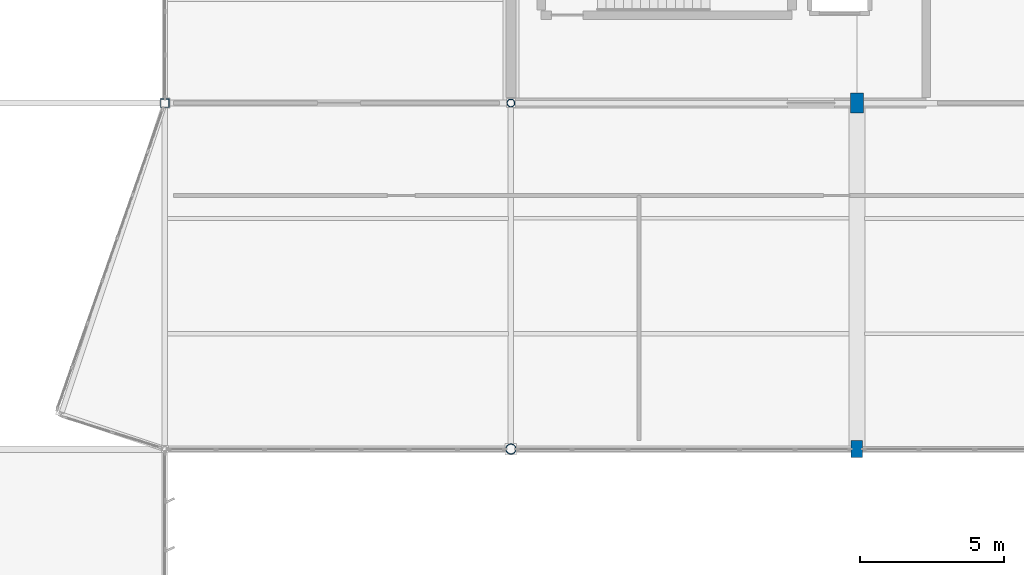
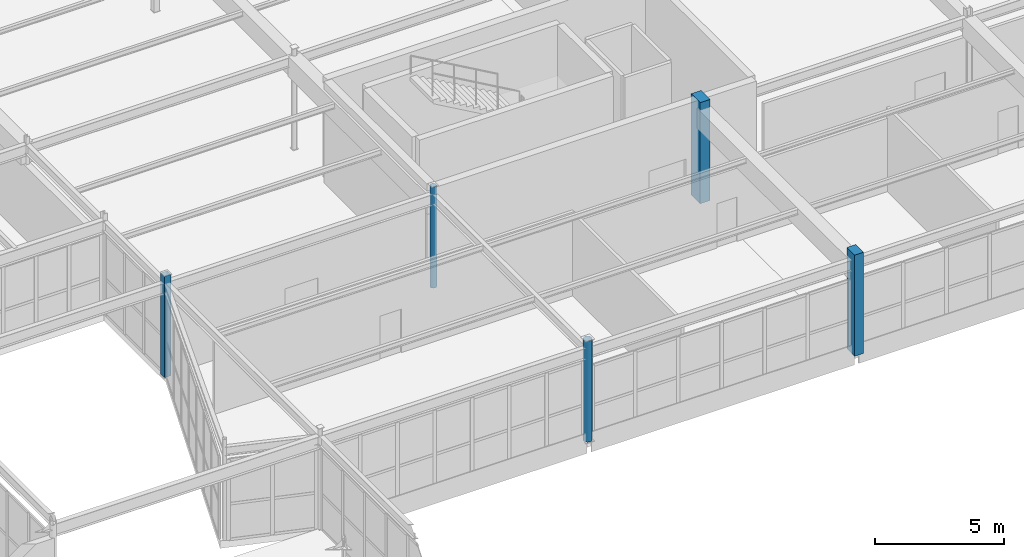
# One storey, part 46 of 186: 5 columns.
"""IFC4 building model written with IfcOpenShell, lengths in metres."""

from ifc_helpers import new_model, si_unit, direction, frame, origin, origin_2d, place, context, subcontext, project, spatial, rectangle, hollow_rectangle, hollow_circle, extrude, material, material_profile, profile_set, type_object, element, save


model = new_model("IFC4")

# Units and contexts
model_context = context("Model", 3, precision=1e-05, world=origin(), true_north=direction((0.0, 1.0)))
body_context = subcontext(model_context, "Body", "Model", "MODEL_VIEW")
ifc_project = project(units=[si_unit("LENGTHUNIT", "METRE"), si_unit("AREAUNIT", "SQUARE_METRE"), si_unit("VOLUMEUNIT", "CUBIC_METRE"), si_unit("PLANEANGLEUNIT", "RADIAN"), si_unit("MASSUNIT", "GRAM", prefix="KILO")], contexts=[model_context])

# Site, building, storey
site_placement = place(None, origin())
site = spatial("IfcSite", under=ifc_project, at=site_placement, CompositionType="ELEMENT")
building_placement = place(site_placement, origin())
building = spatial("IfcBuilding", under=site, at=building_placement, Name="Tarnwether General Hospital", CompositionType="ELEMENT")
storey_placement = place(building_placement, frame((0.0, 0.0, 9.60009765625)))
storey = spatial("IfcBuildingStorey", under=building, at=storey_placement, Name="L02", CompositionType="ELEMENT", Elevation=9.60009765625)

# Columns
ifc_material_1 = material(Name="Steel Grade C350L0 (350 MPa)", Category="steel")
ifc_material_profile_1 = material_profile(ifc_material_1, hollow_circle(Radius=0.177734375, WallThickness=0.0126953125, at=origin_2d()), Name="CHS355.6x12.7")
ifc_profile_set_1 = profile_set([ifc_material_profile_1], Name="Steel Grade C350L0 (350 MPa)")
column_type_1 = type_object("IfcColumnType", Name="COL-11", PredefinedType="COLUMN", material=ifc_profile_set_1)
column_1_placement = place(storey_placement, frame((156.0, 81.60009765625, 0.0), z_axis=(0.0, 0.0, 1.0), x_axis=(0.0, 1.0, 0.0)))
element("IfcColumn", 1, at=column_1_placement, inside=storey, type_object=column_type_1, Name="Column COLG-L02-15600_8160", PredefinedType="COLUMN", context=body_context, shape_type="SweptSolid", body=[
    extrude(hollow_circle(Radius=0.177734375, WallThickness=0.0126953125, at=origin_2d()), origin(), (0.0, 0.0, 1.0), 4.7998046875),
])
ifc_material_2 = material(Name="Steel Grade C350L0 (350 MPa)", Category="steel")
ifc_material_profile_2 = material_profile(ifc_material_2, hollow_circle(Radius=0.136474609375, WallThickness=0.0126953125, at=origin_2d()), Name="CHS273.1x12.7")
ifc_profile_set_2 = profile_set([ifc_material_profile_2], Name="Steel Grade C350L0 (350 MPa)")
column_type_2 = type_object("IfcColumnType", Name="COL-12", PredefinedType="COLUMN", material=ifc_profile_set_2)
column_2_placement = place(storey_placement, frame((156.0, 93.60009765625, 0.0), z_axis=(0.0, 0.0, 1.0), x_axis=(0.0, 1.0, 0.0)))
element("IfcColumn", 2, at=column_2_placement, inside=storey, type_object=column_type_2, Name="Column COLG-L02-15600_9360", PredefinedType="COLUMN", context=body_context, shape_type="SweptSolid", body=[
    extrude(hollow_circle(Radius=0.136474609375, WallThickness=0.0126953125, at=origin_2d()), origin(), (0.0, 0.0, 1.0), 4.7998046875),
])
ifc_material_3 = material(Name="Concrete 50 MPa", Category="concrete")
ifc_material_profile_3 = material_profile(ifc_material_3, rectangle(XDim=0.39990234375, YDim=0.60009765625, at=origin_2d()), Name="RC-PIL-400x600")
ifc_profile_set_3 = profile_set([ifc_material_profile_3], Name="Concrete 50 MPa")
column_type_3 = type_object("IfcColumnType", Name="COL-21", PredefinedType="PILASTER", material=ifc_profile_set_3)
column_3_placement = place(storey_placement, frame((168.0, 81.60009765625, 0.0), z_axis=(0.0, 0.0, 1.0), x_axis=(1.0, 0.0, 0.0)))
element("IfcColumn", 3, at=column_3_placement, inside=storey, type_object=column_type_3, Name="Column COLG-L02-16800_8160", PredefinedType="PILASTER", context=body_context, shape_type="SweptSolid", body=[
    extrude(rectangle(XDim=0.39990234375, YDim=0.60009765625, at=origin_2d()), origin(), (0.0, 0.0, 1.0), 4.7998046875),
])
ifc_material_4 = material(Name="Concrete 50 MPa", Category="concrete")
ifc_material_profile_4 = material_profile(ifc_material_4, rectangle(XDim=0.449951171875, YDim=0.699951171875, at=origin_2d()), Name="RC-PIL-450x700")
ifc_profile_set_4 = profile_set([ifc_material_profile_4], Name="Concrete 50 MPa")
column_type_4 = type_object("IfcColumnType", Name="COL-22", PredefinedType="PILASTER", material=ifc_profile_set_4)
column_4_placement = place(storey_placement, frame((168.0, 93.60009765625, 0.0), z_axis=(0.0, 0.0, 1.0), x_axis=(1.0, 0.0, 0.0)))
element("IfcColumn", 4, at=column_4_placement, inside=storey, type_object=column_type_4, Name="Column COLG-L02-16800_9360", PredefinedType="PILASTER", context=body_context, shape_type="SweptSolid", body=[
    extrude(rectangle(XDim=0.449951171875, YDim=0.699951171875, at=origin_2d()), origin(), (0.0, 0.0, 1.0), 4.7998046875),
])
ifc_material_5 = material(Name="Steel Grade C350L0 (350 MPa)", Category="steel")
ifc_material_profile_5 = material_profile(ifc_material_5, hollow_rectangle(XDim=0.300048828125, YDim=0.300048828125, WallThickness=0.012451171875, at=origin_2d()), Name="SHS300x300x12.5")
ifc_profile_set_5 = profile_set([ifc_material_profile_5], Name="Steel Grade C350L0 (350 MPa)")
column_type_5 = type_object("IfcColumnType", Name="COL-30", PredefinedType="COLUMN", material=ifc_profile_set_5)
column_5_placement = place(storey_placement, frame((144.0, 93.60009765625, 0.0), z_axis=(0.0, 0.0, 1.0), x_axis=(1.0, 0.0, 0.0)))
element("IfcColumn", 5, at=column_5_placement, inside=storey, type_object=column_type_5, Name="Column COLG-L02-14400_9360", PredefinedType="COLUMN", context=body_context, shape_type="SweptSolid", body=[
    extrude(hollow_rectangle(XDim=0.300048828125, YDim=0.300048828125, WallThickness=0.012451171875, at=origin_2d()), origin(), (0.0, 0.0, 1.0), 4.7998046875),
])

save(model, "model.ifc")
